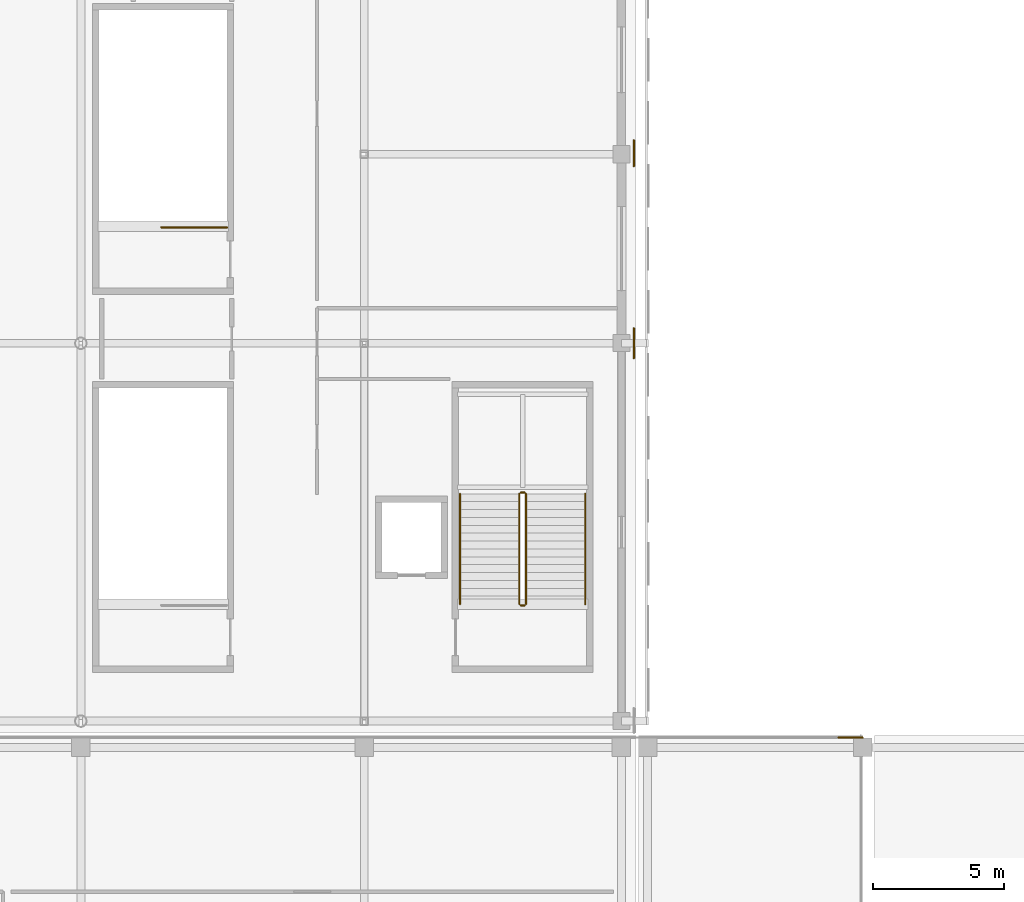
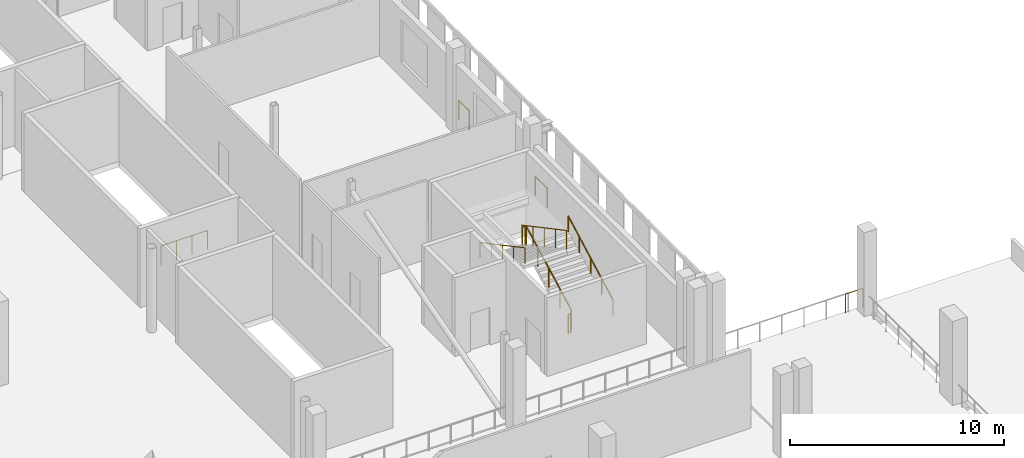
# One storey, part 66 of 74: 10 railings.
"""IFC4 building model written with IfcOpenShell, lengths in metres."""

from ifc_helpers import new_model, si_unit, direction, frame, origin, origin_2d, place, context, subcontext, project, spatial, circle, extrude, material, type_object, element, save


model = new_model("IFC4")

# Units and contexts
model_context = context("Model", 3, precision=1e-05, world=origin(), true_north=direction((0.0, 1.0)))
body_context = subcontext(model_context, "Body", "Model", "MODEL_VIEW")
ifc_project = project(units=[si_unit("LENGTHUNIT", "METRE"), si_unit("AREAUNIT", "SQUARE_METRE"), si_unit("VOLUMEUNIT", "CUBIC_METRE"), si_unit("PLANEANGLEUNIT", "RADIAN"), si_unit("MASSUNIT", "GRAM", prefix="KILO")], contexts=[model_context])

# Site, building, storey
site_placement = place(None, origin())
site = spatial("IfcSite", under=ifc_project, at=site_placement, CompositionType="ELEMENT")
building_placement = place(site_placement, origin())
building = spatial("IfcBuilding", under=site, at=building_placement, Name="Koshinbarg Plaza Stadium", CompositionType="ELEMENT")
storey_placement = place(building_placement, frame((0.0, 0.0, 15.0)))
storey = spatial("IfcBuildingStorey", under=building, at=storey_placement, Name="L03", CompositionType="ELEMENT", Elevation=15.0)

# Railings
ifc_material_1 = material(Name="Toughened laminated glass and stainless steel sightline balustrade", Category="steel")
railing_type_1 = type_object("IfcRailingType", Name="RL-BOWL-1100", PredefinedType="BALUSTRADE", material=ifc_material_1)
railing_1_placement = place(storey_placement, frame((218.875, 47.634033203125, 0.0)))
element("IfcRailing", 1, at=railing_1_placement, inside=storey, type_object=railing_type_1, Name="L03 deck edge safety balustrade 0237", PredefinedType="BALUSTRADE", context=body_context, shape_type="SweptSolid", body=[
    extrude(circle(Radius=0.02392578125, at=origin_2d()), frame((0.0, 0.0, 1.076171875), z_axis=(0.0, -1.0, 0.0), x_axis=(1.0, 0.0, 0.0)), (0.0, 0.0, 1.0), 0.9970703125),
    extrude(circle(Radius=0.02099609375, at=origin_2d()), origin(), (0.0, 0.0, 1.0), 1.052001953125),
    extrude(circle(Radius=0.02099609375, at=origin_2d()), frame((0.0, -0.9970703125, 0.0)), (0.0, 0.0, 1.0), 1.052001953125),
])
railing_2_placement = place(storey_placement, frame((218.875, 40.469482421875, 0.0)))
element("IfcRailing", 2, at=railing_2_placement, inside=storey, type_object=railing_type_1, Name="L03 deck edge safety balustrade 0238", PredefinedType="BALUSTRADE", context=body_context, shape_type="SweptSolid", body=[
    extrude(circle(Radius=0.02392578125, at=origin_2d()), frame((0.0, 0.0, 1.076171875), z_axis=(0.0, -1.0, 0.0), x_axis=(1.0, 0.0, 0.0)), (0.0, 0.0, 1.0), 1.146240234375),
    extrude(circle(Radius=0.02099609375, at=origin_2d()), origin(), (0.0, 0.0, 1.0), 1.052001953125),
    extrude(circle(Radius=0.02099609375, at=origin_2d()), frame((0.0, -1.146240234375, 0.0)), (0.0, 0.0, 1.0), 1.052001953125),
])
railing_3_placement = place(storey_placement, frame((226.66259765625, 24.875, 0.0)))
element("IfcRailing", 3, at=railing_3_placement, inside=storey, type_object=railing_type_1, Name="L03 deck edge safety balustrade 0276", PredefinedType="BALUSTRADE", context=body_context, shape_type="SweptSolid", body=[
    extrude(circle(Radius=0.02392578125, at=origin_2d()), frame((0.0, 0.0, 1.076171875), z_axis=(1.0, 0.0, 0.0), x_axis=(0.0, 1.0, 0.0)), (0.0, 0.0, 1.0), 0.9375),
    extrude(circle(Radius=0.02099609375, at=origin_2d()), origin(), (0.0, 0.0, 1.0), 1.052001953125),
    extrude(circle(Radius=0.02099609375, at=origin_2d()), frame((0.9375, 0.0, 0.0)), (0.0, 0.0, 1.0), 1.052001953125),
])
ifc_material_2 = material(Name="Galvanized painted steel guardrail", Category="steel")
railing_type_2 = type_object("IfcRailingType", Name="RL-GUARD-1100", PredefinedType="GUARDRAIL", material=ifc_material_2)
railing_4_placement = place(storey_placement, frame((214.760009765625, 29.9599609375, 0.159912109375)))
element("IfcRailing", 4, at=railing_4_placement, inside=storey, type_object=railing_type_2, Name="L03 C07 stair guard 1", PredefinedType="GUARDRAIL", context=body_context, shape_type="SweptSolid", body=[
    extrude(circle(Radius=0.02392578125, at=origin_2d()), frame((0.0, 0.0, 1.076171875), z_axis=(0.0, 0.882351521365, 0.470590897432), x_axis=(-1.0, 0.0, 0.0)), (0.0, 0.0, 1.0), 4.760009765625),
    extrude(circle(Radius=0.02099609375, at=origin_2d()), origin(), (0.0, 0.0, 1.0), 1.052001953125),
    extrude(circle(Radius=0.02099609375, at=origin_2d()), frame((0.0, 1.050048828125, 0.56005859375)), (0.0, 0.0, 1.0), 1.052001953125),
    extrude(circle(Radius=0.02099609375, at=origin_2d()), frame((0.0, 2.10009765625, 1.1201171875)), (0.0, 0.0, 1.0), 1.052001953125),
    extrude(circle(Radius=0.02099609375, at=origin_2d()), frame((0.0, 3.14990234375, 1.679931640625)), (0.0, 0.0, 1.0), 1.052001953125),
    extrude(circle(Radius=0.02099609375, at=origin_2d()), frame((0.0, 4.199951171875, 2.239990234375)), (0.0, 0.0, 1.0), 1.052001953125),
])
railing_5_placement = place(storey_placement, frame((214.7099609375, 34.2099609375, 2.39990234375)))
element("IfcRailing", 5, at=railing_5_placement, inside=storey, type_object=railing_type_2, Name="L03 C07 stair guard 2", PredefinedType="GUARDRAIL", context=body_context, shape_type="SweptSolid", body=[
    extrude(circle(Radius=0.02392578125, at=origin_2d()), frame((0.0, 0.0, 1.076171875), z_axis=(-1.0, 0.0, 0.0), x_axis=(0.0, -1.0, 0.0)), (0.0, 0.0, 1.0), 0.14990234375),
    extrude(circle(Radius=0.02099609375, at=origin_2d()), origin(), (0.0, 0.0, 1.0), 1.052001953125),
    extrude(circle(Radius=0.02099609375, at=origin_2d()), frame((-0.14990234375, 0.0, 0.0)), (0.0, 0.0, 1.0), 1.052001953125),
])
railing_6_placement = place(storey_placement, frame((214.510009765625, 34.159912109375, 2.56005859375)))
element("IfcRailing", 6, at=railing_6_placement, inside=storey, type_object=railing_type_2, Name="L03 C07 stair guard 3", PredefinedType="GUARDRAIL", context=body_context, shape_type="SweptSolid", body=[
    extrude(circle(Radius=0.02392578125, at=origin_2d()), frame((0.0, 0.0, 1.076171875), z_axis=(0.0, -0.882351521365, 0.470590897432), x_axis=(1.0, 0.0, 0.0)), (0.0, 0.0, 1.0), 4.760009765625),
    extrude(circle(Radius=0.02099609375, at=origin_2d()), origin(), (0.0, 0.0, 1.0), 1.052001953125),
    extrude(circle(Radius=0.02099609375, at=origin_2d()), frame((0.0, -1.050048828125, 0.56005859375)), (0.0, 0.0, 1.0), 1.052001953125),
    extrude(circle(Radius=0.02099609375, at=origin_2d()), frame((0.0, -2.10009765625, 1.1201171875)), (0.0, 0.0, 1.0), 1.052001953125),
    extrude(circle(Radius=0.02099609375, at=origin_2d()), frame((0.0, -3.14990234375, 1.679931640625)), (0.0, 0.0, 1.0), 1.052001953125),
    extrude(circle(Radius=0.02099609375, at=origin_2d()), frame((0.0, -4.199951171875, 2.239990234375)), (0.0, 0.0, 1.0), 1.052001953125),
])
railing_7_placement = place(storey_placement, frame((214.7099609375, 29.909912109375, 0.0)))
element("IfcRailing", 7, at=railing_7_placement, inside=storey, type_object=railing_type_2, Name="L03 C07 stair guard 4", PredefinedType="GUARDRAIL", context=body_context, shape_type="SweptSolid", body=[
    extrude(circle(Radius=0.02392578125, at=origin_2d()), frame((0.0, 0.0, 1.076171875), z_axis=(-1.0, 0.0, 0.0), x_axis=(0.0, -1.0, 0.0)), (0.0, 0.0, 1.0), 0.14990234375),
    extrude(circle(Radius=0.02099609375, at=origin_2d()), origin(), (0.0, 0.0, 1.0), 1.052001953125),
    extrude(circle(Radius=0.02099609375, at=origin_2d()), frame((-0.14990234375, 0.0, 0.0)), (0.0, 0.0, 1.0), 1.052001953125),
])
railing_8_placement = place(storey_placement, frame((203.3701171875, 44.31005859375, 0.0)))
element("IfcRailing", 8, at=railing_8_placement, inside=storey, type_object=railing_type_2, Name="L03 VX08 top stairwell guard 1", PredefinedType="GUARDRAIL", context=body_context, shape_type="SweptSolid", body=[
    extrude(circle(Radius=0.02392578125, at=origin_2d()), frame((0.0, 0.0, 1.076171875), z_axis=(-1.0, 0.0, 0.0), x_axis=(0.0, -1.0, 0.0)), (0.0, 0.0, 1.0), 2.510009765625),
    extrude(circle(Radius=0.02099609375, at=origin_2d()), origin(), (0.0, 0.0, 1.0), 1.052001953125),
    extrude(circle(Radius=0.02099609375, at=origin_2d()), frame((-0.836669921875, 0.0, 0.0)), (0.0, 0.0, 1.0), 1.052001953125),
    extrude(circle(Radius=0.02099609375, at=origin_2d()), frame((-1.67333984375, 0.0, 0.0)), (0.0, 0.0, 1.0), 1.052001953125),
    extrude(circle(Radius=0.02099609375, at=origin_2d()), frame((-2.510009765625, 0.0, 0.0)), (0.0, 0.0, 1.0), 1.052001953125),
])
ifc_material_3 = material(Name="Brushed stainless steel handrail", Category="steel")
railing_type_3 = type_object("IfcRailingType", Name="RL-HAND-900", PredefinedType="HANDRAIL", material=ifc_material_3)
railing_9_placement = place(storey_placement, frame((217.02001953125, 29.9599609375, 0.159912109375)))
element("IfcRailing", 9, at=railing_9_placement, inside=storey, type_object=railing_type_3, Name="L03 C07 stair handrail 1", PredefinedType="HANDRAIL", context=body_context, shape_type="SweptSolid", body=[
    extrude(circle(Radius=0.02392578125, at=origin_2d()), frame((0.0, 0.0, 0.8759765625), z_axis=(0.0, 0.882351521365, 0.470590897432), x_axis=(-1.0, 0.0, 0.0)), (0.0, 0.0, 1.0), 4.760009765625),
    extrude(circle(Radius=0.02099609375, at=origin_2d()), origin(), (0.0, 0.0, 1.0), 0.851806640625),
    extrude(circle(Radius=0.02099609375, at=origin_2d()), frame((0.0, 1.050048828125, 0.56005859375)), (0.0, 0.0, 1.0), 0.851806640625),
    extrude(circle(Radius=0.02099609375, at=origin_2d()), frame((0.0, 2.10009765625, 1.1201171875)), (0.0, 0.0, 1.0), 0.851806640625),
    extrude(circle(Radius=0.02099609375, at=origin_2d()), frame((0.0, 3.14990234375, 1.679931640625)), (0.0, 0.0, 1.0), 0.851806640625),
    extrude(circle(Radius=0.02099609375, at=origin_2d()), frame((0.0, 4.199951171875, 2.239990234375)), (0.0, 0.0, 1.0), 0.851806640625),
])
railing_10_placement = place(storey_placement, frame((212.25, 34.159912109375, 2.56005859375)))
element("IfcRailing", 10, at=railing_10_placement, inside=storey, type_object=railing_type_3, Name="L03 C07 stair handrail 2", PredefinedType="HANDRAIL", context=body_context, shape_type="SweptSolid", body=[
    extrude(circle(Radius=0.02392578125, at=origin_2d()), frame((0.0, 0.0, 0.8759765625), z_axis=(0.0, -0.882351521365, 0.470590897432), x_axis=(1.0, 0.0, 0.0)), (0.0, 0.0, 1.0), 4.760009765625),
    extrude(circle(Radius=0.02099609375, at=origin_2d()), origin(), (0.0, 0.0, 1.0), 0.851806640625),
    extrude(circle(Radius=0.02099609375, at=origin_2d()), frame((0.0, -1.050048828125, 0.56005859375)), (0.0, 0.0, 1.0), 0.851806640625),
    extrude(circle(Radius=0.02099609375, at=origin_2d()), frame((0.0, -2.10009765625, 1.1201171875)), (0.0, 0.0, 1.0), 0.851806640625),
    extrude(circle(Radius=0.02099609375, at=origin_2d()), frame((0.0, -3.14990234375, 1.679931640625)), (0.0, 0.0, 1.0), 0.851806640625),
    extrude(circle(Radius=0.02099609375, at=origin_2d()), frame((0.0, -4.199951171875, 2.239990234375)), (0.0, 0.0, 1.0), 0.851806640625),
])

save(model, "model.ifc")
